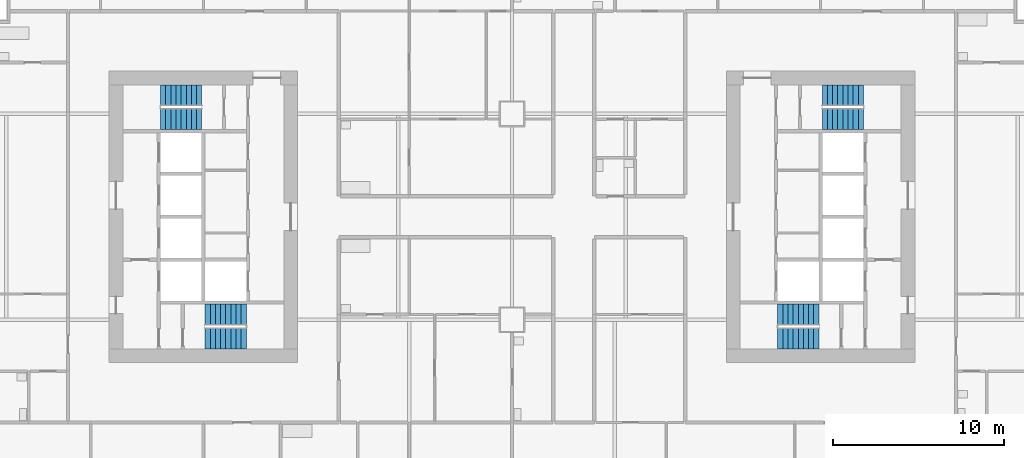
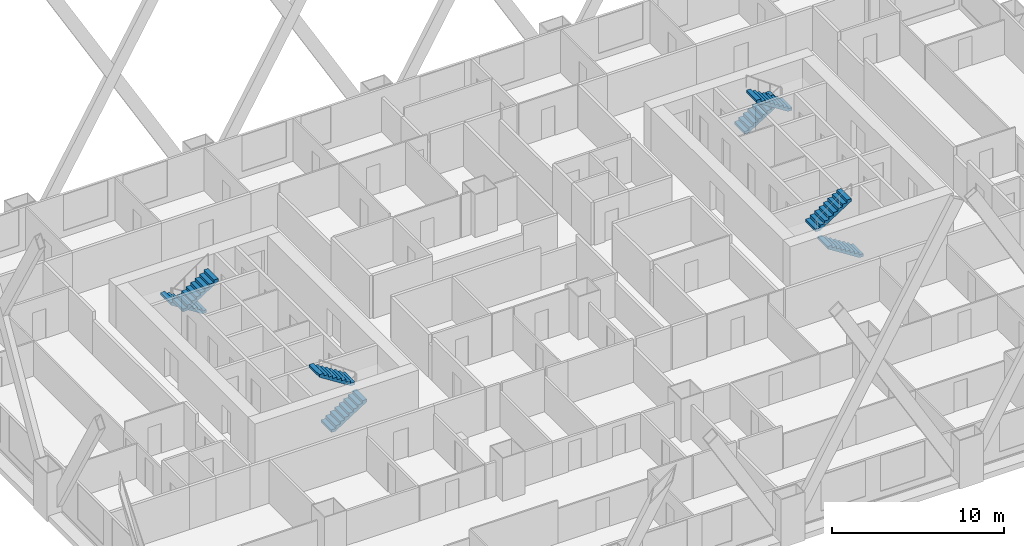
# One storey, part 11 of 13: 8 stair flights, 4 elements without a shape of their own.
"""IFC4 building model written with IfcOpenShell, lengths in metres."""

from ifc_helpers import new_model, si_unit, direction, frame, origin, place, context, subcontext, project, spatial, polyline, outline, extrude, material, type_object, element, aggregate, save


model = new_model("IFC4")

# Units and contexts
model_context = context("Model", 3, precision=1e-05, world=origin(), true_north=direction((0.0, 1.0)))
body_context = subcontext(model_context, "Body", "Model", "MODEL_VIEW")
ifc_project = project(units=[si_unit("LENGTHUNIT", "METRE"), si_unit("AREAUNIT", "SQUARE_METRE"), si_unit("VOLUMEUNIT", "CUBIC_METRE"), si_unit("PLANEANGLEUNIT", "RADIAN"), si_unit("MASSUNIT", "GRAM", prefix="KILO")], contexts=[model_context])

# Site, building, storey
site_placement = place(None, origin())
site = spatial("IfcSite", under=ifc_project, at=site_placement, CompositionType="ELEMENT")
building_placement = place(site_placement, origin())
building = spatial("IfcBuilding", under=site, at=building_placement, Name="Kitamizu Gate Tower and Museum", CompositionType="ELEMENT")
storey_placement = place(building_placement, frame((0.0, 0.0, 71.39990234375)))
storey = spatial("IfcBuildingStorey", under=building, at=storey_placement, Name="L17", CompositionType="ELEMENT", Elevation=71.39990234375)

# Stair, stair flights
ifc_material_1 = material(Name="Concrete Fc42", Category="concrete")
stair_type = type_object("IfcStairType", Name="Exit stair 1200 wide 192 rise 300 going", PredefinedType="HALF_TURN_STAIR", material=ifc_material_1)
stair_1_placement = place(storey_placement, origin())
stair_1 = element("IfcStair", 1, at=stair_1_placement, inside=storey, type_object=stair_type, Name="Exit stair ST1", PredefinedType="HALF_TURN_STAIR")
ifc_material_2 = material(Name="Concrete Fc42", Category="concrete")
stair_flight_type = type_object("IfcStairFlightType", Name="Stair flight 1200 wide 192 rise 300 going", PredefinedType="STRAIGHT", material=ifc_material_2)
stair_flight_1_placement = place(storey_placement, frame((18.10009765625, 22.89990234375, 0.0), z_axis=(0.0, 0.0, 1.0), x_axis=(1.0, 0.0, 0.0)))
stair_flight_1 = element("IfcStairFlight", 2, at=stair_flight_1_placement, type_object=stair_flight_type, Name="ST1 flight 1", NumberOfRisers=9, NumberOfTreads=8, PredefinedType="STRAIGHT", RiserHeight=0.191666667, TreadLength=0.3, context=body_context, shape_type="SweptSolid", body=[
    extrude(outline(polyline([(0.0, 0.0), (0.0, 0.191650390625), (0.300048828125, 0.191650390625), (0.300048828125, 0.38330078125), (0.60009765625, 0.38330078125), (0.60009765625, 0.574951171875), (0.89990234375, 0.574951171875), (0.89990234375, 0.7666015625), (1.199951171875, 0.7666015625), (1.199951171875, 0.958251953125), (1.5, 0.958251953125), (1.5, 1.14990234375), (1.800048828125, 1.14990234375), (1.800048828125, 1.341552734375), (2.10009765625, 1.341552734375), (2.10009765625, 1.533447265625), (2.39990234375, 1.533447265625), (2.39990234375, 1.72509765625), (2.39990234375, 1.35546875), (0.2783203125, 0.0), (0.0, 0.0)])), frame((0.0, 0.60009765625, 0.0), z_axis=(0.0, -1.0, 0.0), x_axis=(1.0, 0.0, 0.0)), (0.0, 0.0, 1.0), 1.199951171875),
])
stair_flight_2_placement = place(storey_placement, frame((20.5, 24.300048828125, 1.72509765625), z_axis=(0.0, 0.0, 1.0), x_axis=(-1.0, 0.0, 0.0)))
stair_flight_2 = element("IfcStairFlight", 3, at=stair_flight_2_placement, type_object=stair_flight_type, Name="ST1 flight 2", NumberOfRisers=9, NumberOfTreads=8, PredefinedType="STRAIGHT", RiserHeight=0.191666667, TreadLength=0.3, context=body_context, shape_type="SweptSolid", body=[
    extrude(outline(polyline([(0.0, 0.0), (0.0, 0.191650390625), (0.300048828125, 0.191650390625), (0.300048828125, 0.38330078125), (0.60009765625, 0.38330078125), (0.60009765625, 0.574951171875), (0.89990234375, 0.574951171875), (0.89990234375, 0.7666015625), (1.199951171875, 0.7666015625), (1.199951171875, 0.958251953125), (1.5, 0.958251953125), (1.5, 1.14990234375), (1.800048828125, 1.14990234375), (1.800048828125, 1.341552734375), (2.10009765625, 1.341552734375), (2.10009765625, 1.533447265625), (2.39990234375, 1.533447265625), (2.39990234375, 1.72509765625), (2.39990234375, 1.35546875), (0.2783203125, 0.0), (0.0, 0.0)])), frame((0.0, 0.60009765625, 0.0), z_axis=(0.0, -1.0, 0.0), x_axis=(1.0, 0.0, 0.0)), (0.0, 0.0, 1.0), 1.199951171875),
])
aggregate(stair_1, [stair_flight_1, stair_flight_2])

stair_2_placement = place(storey_placement, origin())
stair_2 = element("IfcStair", 4, at=stair_2_placement, inside=storey, type_object=stair_type, Name="Exit stair ST2", PredefinedType="HALF_TURN_STAIR")
stair_flight_3_placement = place(storey_placement, frame((17.89990234375, 37.10009765625, 0.0), z_axis=(0.0, 0.0, 1.0), x_axis=(-1.0, 0.0, 0.0)))
stair_flight_3 = element("IfcStairFlight", 5, at=stair_flight_3_placement, type_object=stair_flight_type, Name="ST2 flight 1", NumberOfRisers=9, NumberOfTreads=8, PredefinedType="STRAIGHT", RiserHeight=0.191666667, TreadLength=0.3, context=body_context, shape_type="SweptSolid", body=[
    extrude(outline(polyline([(0.0, 0.0), (0.0, 0.191650390625), (0.300048828125, 0.191650390625), (0.300048828125, 0.38330078125), (0.60009765625, 0.38330078125), (0.60009765625, 0.574951171875), (0.89990234375, 0.574951171875), (0.89990234375, 0.7666015625), (1.199951171875, 0.7666015625), (1.199951171875, 0.958251953125), (1.5, 0.958251953125), (1.5, 1.14990234375), (1.800048828125, 1.14990234375), (1.800048828125, 1.341552734375), (2.10009765625, 1.341552734375), (2.10009765625, 1.533447265625), (2.39990234375, 1.533447265625), (2.39990234375, 1.72509765625), (2.39990234375, 1.35546875), (0.2783203125, 0.0), (0.0, 0.0)])), frame((0.0, 0.60009765625, 0.0), z_axis=(0.0, -1.0, 0.0), x_axis=(1.0, 0.0, 0.0)), (0.0, 0.0, 1.0), 1.199951171875),
])
stair_flight_4_placement = place(storey_placement, frame((15.5, 35.699951171875, 1.72509765625), z_axis=(0.0, 0.0, 1.0), x_axis=(1.0, 0.0, 0.0)))
stair_flight_4 = element("IfcStairFlight", 6, at=stair_flight_4_placement, type_object=stair_flight_type, Name="ST2 flight 2", NumberOfRisers=9, NumberOfTreads=8, PredefinedType="STRAIGHT", RiserHeight=0.191666667, TreadLength=0.3, context=body_context, shape_type="SweptSolid", body=[
    extrude(outline(polyline([(0.0, 0.0), (0.0, 0.191650390625), (0.300048828125, 0.191650390625), (0.300048828125, 0.38330078125), (0.60009765625, 0.38330078125), (0.60009765625, 0.574951171875), (0.89990234375, 0.574951171875), (0.89990234375, 0.7666015625), (1.199951171875, 0.7666015625), (1.199951171875, 0.958251953125), (1.5, 0.958251953125), (1.5, 1.14990234375), (1.800048828125, 1.14990234375), (1.800048828125, 1.341552734375), (2.10009765625, 1.341552734375), (2.10009765625, 1.533447265625), (2.39990234375, 1.533447265625), (2.39990234375, 1.72509765625), (2.39990234375, 1.35546875), (0.2783203125, 0.0), (0.0, 0.0)])), frame((0.0, 0.60009765625, 0.0), z_axis=(0.0, -1.0, 0.0), x_axis=(1.0, 0.0, 0.0)), (0.0, 0.0, 1.0), 1.199951171875),
])
aggregate(stair_2, [stair_flight_3, stair_flight_4])

stair_3_placement = place(storey_placement, origin())
stair_3 = element("IfcStair", 7, at=stair_3_placement, inside=storey, type_object=stair_type, Name="Exit stair ST3", PredefinedType="HALF_TURN_STAIR")
stair_flight_5_placement = place(storey_placement, frame((53.89990234375, 22.89990234375, 0.0), z_axis=(0.0, 0.0, 1.0), x_axis=(-1.0, 0.0, 0.0)))
stair_flight_5 = element("IfcStairFlight", 8, at=stair_flight_5_placement, type_object=stair_flight_type, Name="ST3 flight 1", NumberOfRisers=9, NumberOfTreads=8, PredefinedType="STRAIGHT", RiserHeight=0.191666667, TreadLength=0.3, context=body_context, shape_type="SweptSolid", body=[
    extrude(outline(polyline([(0.0, 0.0), (0.0, 0.191650390625), (0.300048828125, 0.191650390625), (0.300048828125, 0.38330078125), (0.60009765625, 0.38330078125), (0.60009765625, 0.574951171875), (0.89990234375, 0.574951171875), (0.89990234375, 0.7666015625), (1.199951171875, 0.7666015625), (1.199951171875, 0.958251953125), (1.5, 0.958251953125), (1.5, 1.14990234375), (1.800048828125, 1.14990234375), (1.800048828125, 1.341552734375), (2.10009765625, 1.341552734375), (2.10009765625, 1.533447265625), (2.39990234375, 1.533447265625), (2.39990234375, 1.72509765625), (2.39990234375, 1.35546875), (0.2783203125, 0.0), (0.0, 0.0)])), frame((0.0, 0.60009765625, 0.0), z_axis=(0.0, -1.0, 0.0), x_axis=(1.0, 0.0, 0.0)), (0.0, 0.0, 1.0), 1.199951171875),
])
stair_flight_6_placement = place(storey_placement, frame((51.5, 24.300048828125, 1.72509765625), z_axis=(0.0, 0.0, 1.0), x_axis=(1.0, 0.0, 0.0)))
stair_flight_6 = element("IfcStairFlight", 9, at=stair_flight_6_placement, type_object=stair_flight_type, Name="ST3 flight 2", NumberOfRisers=9, NumberOfTreads=8, PredefinedType="STRAIGHT", RiserHeight=0.191666667, TreadLength=0.3, context=body_context, shape_type="SweptSolid", body=[
    extrude(outline(polyline([(0.0, 0.0), (0.0, 0.191650390625), (0.300048828125, 0.191650390625), (0.300048828125, 0.38330078125), (0.60009765625, 0.38330078125), (0.60009765625, 0.574951171875), (0.89990234375, 0.574951171875), (0.89990234375, 0.7666015625), (1.199951171875, 0.7666015625), (1.199951171875, 0.958251953125), (1.5, 0.958251953125), (1.5, 1.14990234375), (1.800048828125, 1.14990234375), (1.800048828125, 1.341552734375), (2.10009765625, 1.341552734375), (2.10009765625, 1.533447265625), (2.39990234375, 1.533447265625), (2.39990234375, 1.72509765625), (2.39990234375, 1.35546875), (0.2783203125, 0.0), (0.0, 0.0)])), frame((0.0, 0.60009765625, 0.0), z_axis=(0.0, -1.0, 0.0), x_axis=(1.0, 0.0, 0.0)), (0.0, 0.0, 1.0), 1.199951171875),
])
aggregate(stair_3, [stair_flight_5, stair_flight_6])

stair_4_placement = place(storey_placement, origin())
stair_4 = element("IfcStair", 10, at=stair_4_placement, inside=storey, type_object=stair_type, Name="Exit stair ST4", PredefinedType="HALF_TURN_STAIR")
stair_flight_7_placement = place(storey_placement, frame((54.10009765625, 37.10009765625, 0.0), z_axis=(0.0, 0.0, 1.0), x_axis=(1.0, 0.0, 0.0)))
stair_flight_7 = element("IfcStairFlight", 11, at=stair_flight_7_placement, type_object=stair_flight_type, Name="ST4 flight 1", NumberOfRisers=9, NumberOfTreads=8, PredefinedType="STRAIGHT", RiserHeight=0.191666667, TreadLength=0.3, context=body_context, shape_type="SweptSolid", body=[
    extrude(outline(polyline([(0.0, 0.0), (0.0, 0.191650390625), (0.300048828125, 0.191650390625), (0.300048828125, 0.38330078125), (0.60009765625, 0.38330078125), (0.60009765625, 0.574951171875), (0.89990234375, 0.574951171875), (0.89990234375, 0.7666015625), (1.199951171875, 0.7666015625), (1.199951171875, 0.958251953125), (1.5, 0.958251953125), (1.5, 1.14990234375), (1.800048828125, 1.14990234375), (1.800048828125, 1.341552734375), (2.10009765625, 1.341552734375), (2.10009765625, 1.533447265625), (2.39990234375, 1.533447265625), (2.39990234375, 1.72509765625), (2.39990234375, 1.35546875), (0.2783203125, 0.0), (0.0, 0.0)])), frame((0.0, 0.60009765625, 0.0), z_axis=(0.0, -1.0, 0.0), x_axis=(1.0, 0.0, 0.0)), (0.0, 0.0, 1.0), 1.199951171875),
])
stair_flight_8_placement = place(storey_placement, frame((56.5, 35.699951171875, 1.72509765625), z_axis=(0.0, 0.0, 1.0), x_axis=(-1.0, 0.0, 0.0)))
stair_flight_8 = element("IfcStairFlight", 12, at=stair_flight_8_placement, type_object=stair_flight_type, Name="ST4 flight 2", NumberOfRisers=9, NumberOfTreads=8, PredefinedType="STRAIGHT", RiserHeight=0.191666667, TreadLength=0.3, context=body_context, shape_type="SweptSolid", body=[
    extrude(outline(polyline([(0.0, 0.0), (0.0, 0.191650390625), (0.300048828125, 0.191650390625), (0.300048828125, 0.38330078125), (0.60009765625, 0.38330078125), (0.60009765625, 0.574951171875), (0.89990234375, 0.574951171875), (0.89990234375, 0.7666015625), (1.199951171875, 0.7666015625), (1.199951171875, 0.958251953125), (1.5, 0.958251953125), (1.5, 1.14990234375), (1.800048828125, 1.14990234375), (1.800048828125, 1.341552734375), (2.10009765625, 1.341552734375), (2.10009765625, 1.533447265625), (2.39990234375, 1.533447265625), (2.39990234375, 1.72509765625), (2.39990234375, 1.35546875), (0.2783203125, 0.0), (0.0, 0.0)])), frame((0.0, 0.60009765625, 0.0), z_axis=(0.0, -1.0, 0.0), x_axis=(1.0, 0.0, 0.0)), (0.0, 0.0, 1.0), 1.199951171875),
])
aggregate(stair_4, [stair_flight_7, stair_flight_8])

save(model, "model.ifc")
